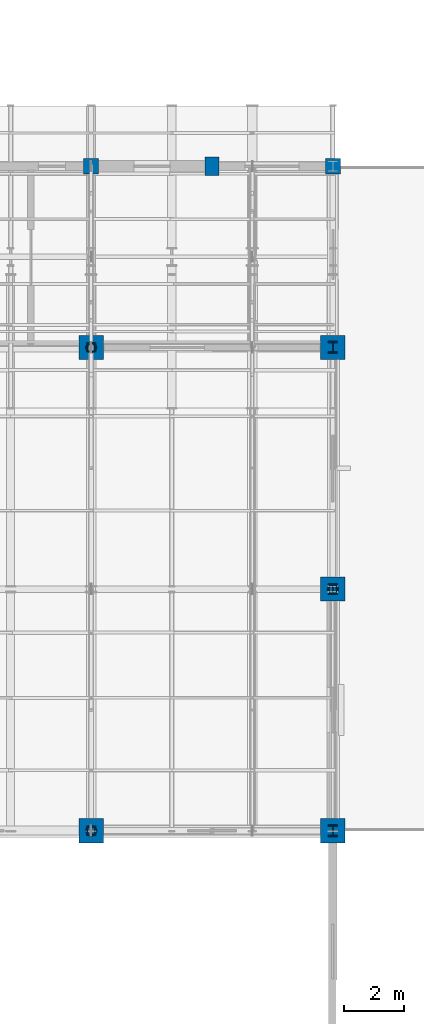
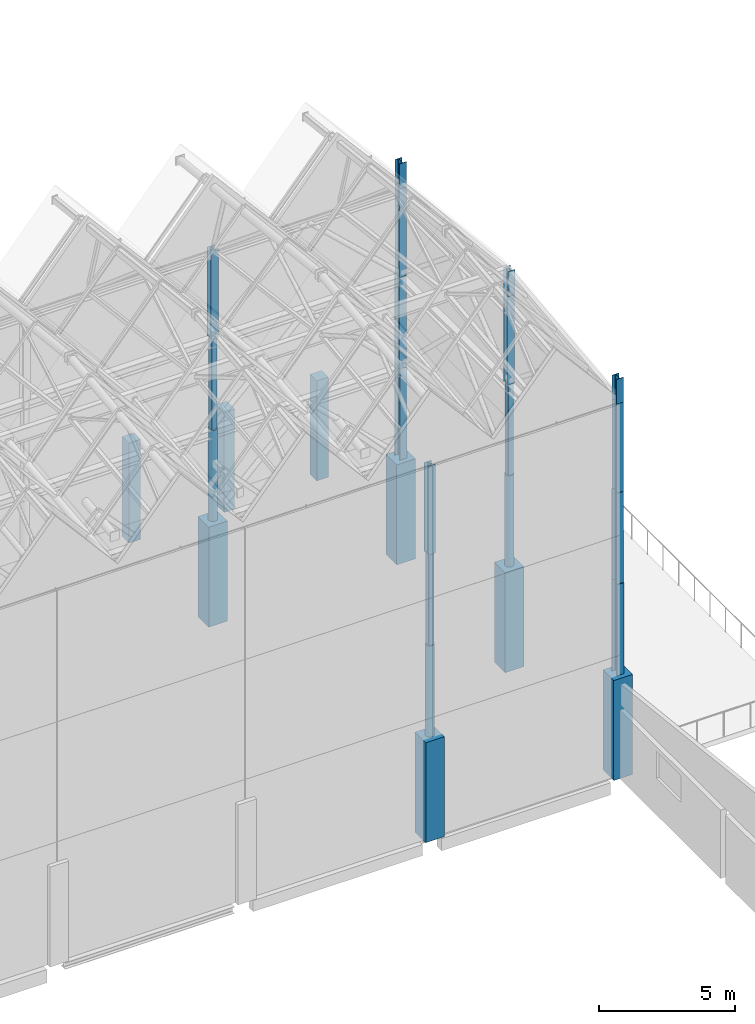
# One storey, part 2 of 48: 26 columns.
"""IFC4 building model written with IfcOpenShell, lengths in metres."""

from ifc_helpers import new_model, si_unit, direction, frame, origin, origin_2d, place, context, subcontext, project, spatial, rectangle, hollow_rectangle, hollow_circle, i_section, extrude, material, material_profile, profile_set, type_object, element, save


model = new_model("IFC4")

# Units and contexts
model_context = context("Model", 3, precision=1e-05, world=origin(), true_north=direction((0.0, 1.0)))
body_context = subcontext(model_context, "Body", "Model", "MODEL_VIEW")
ifc_project = project(units=[si_unit("LENGTHUNIT", "METRE"), si_unit("AREAUNIT", "SQUARE_METRE"), si_unit("VOLUMEUNIT", "CUBIC_METRE"), si_unit("PLANEANGLEUNIT", "RADIAN"), si_unit("MASSUNIT", "GRAM", prefix="KILO")], contexts=[model_context])

# Site, building, storey
site_placement = place(None, origin())
site = spatial("IfcSite", under=ifc_project, at=site_placement, CompositionType="ELEMENT")
building_placement = place(site_placement, origin())
building = spatial("IfcBuilding", under=site, at=building_placement, Name="Luwemba Playhouse", CompositionType="ELEMENT")
storey_placement = place(building_placement, frame((0.0, 0.0, 13.800048828125)))
storey = spatial("IfcBuildingStorey", under=building, at=storey_placement, Name="L03", CompositionType="ELEMENT", Elevation=13.800048828125)

# Columns
ifc_material_1 = material(Name="Concrete C40/50", Category="concrete")
ifc_material_profile_1 = material_profile(ifc_material_1, rectangle(XDim=0.5, YDim=0.5, at=origin_2d()))
ifc_profile_set_1 = profile_set([ifc_material_profile_1], Name="Concrete C40/50")
column_type_1 = type_object("IfcColumnType", Name="COL-C02", PredefinedType="COLUMN", material=ifc_profile_set_1)
for number, where, z_axis, x_axis, name in (
    (1, (36.0, 90.0, 0.0), (0.0, 0.0, 1.0), (1.0, 0.0, 0.0), "L03 column 083"),
    (2, (44.0, 90.0, 0.0), (0.0, 0.0, 1.0), (1.0, 0.0, 0.0), "L03 column 103"),
):
    element("IfcColumn", number, at=place(storey_placement, frame(where, z_axis=z_axis, x_axis=x_axis)), inside=storey, type_object=column_type_1, Name=name, PredefinedType="COLUMN", context=body_context, shape_type="SweptSolid", body=[
        extrude(rectangle(XDim=0.5, YDim=0.5, at=origin_2d()), origin(), (0.0, 0.0, 1.0), 4.5),
    ])
ifc_material_profile_2 = material_profile(ifc_material_1, rectangle(XDim=0.800048828125, YDim=0.800048828125, at=origin_2d()))
ifc_profile_set_2 = profile_set([ifc_material_profile_2], Name="Concrete C40/50")
column_type_2 = type_object("IfcColumnType", Name="COL-C08", PredefinedType="COLUMN", material=ifc_profile_set_2)
for number, where, z_axis, x_axis, name in (
    (3, (36.0, 68.0, 0.0), (0.0, 0.0, 1.0), (1.0, 0.0, 0.0), "L03 column 081"),
    (4, (36.0, 84.0, 0.0), (0.0, 0.0, 1.0), (1.0, 0.0, 0.0), "L03 column 082"),
    (5, (44.0, 68.0, 0.0), (0.0, 0.0, 1.0), (1.0, 0.0, 0.0), "L03 column 100"),
    (6, (44.0, 76.0, 0.0), (0.0, 0.0, 1.0), (1.0, 0.0, 0.0), "L03 column 101"),
    (7, (44.0, 84.0, 0.0), (0.0, 0.0, 1.0), (1.0, 0.0, 0.0), "L03 column 102"),
):
    element("IfcColumn", number, at=place(storey_placement, frame(where, z_axis=z_axis, x_axis=x_axis)), inside=storey, type_object=column_type_2, Name=name, PredefinedType="COLUMN", context=body_context, shape_type="SweptSolid", body=[
        extrude(rectangle(XDim=0.800048828125, YDim=0.800048828125, at=origin_2d()), origin(), (0.0, 0.0, 1.0), 4.5),
    ])
ifc_material_profile_3 = material_profile(ifc_material_1, rectangle(XDim=0.449951171875, YDim=0.60009765625, at=origin_2d()))
ifc_profile_set_3 = profile_set([ifc_material_profile_3], Name="Concrete C40/50")
column_type_3 = type_object("IfcColumnType", Name="COL-PIL2", PredefinedType="PILASTER", material=ifc_profile_set_3)
column_placement = place(storey_placement, frame((40.0, 90.0, 0.0), z_axis=(0.0, 0.0, 1.0), x_axis=(1.0, 0.0, 0.0)))
element("IfcColumn", 8, at=column_placement, inside=storey, type_object=column_type_3, Name="L03 column 090", PredefinedType="PILASTER", context=body_context, shape_type="SweptSolid", body=[
    extrude(rectangle(XDim=0.449951171875, YDim=0.60009765625, at=origin_2d()), origin(), (0.0, 0.0, 1.0), 4.5),
])
ifc_material_2 = material(Name="Steel S355", Category="steel")
ifc_material_profile_4 = material_profile(ifc_material_2, i_section(OverallWidth=0.300048828125, OverallDepth=0.300048828125, WebThickness=0.010986328125, FlangeThickness=0.01904296875, FilletRadius=0.027099609375, at=origin_2d()))
ifc_profile_set_4 = profile_set([ifc_material_profile_4], Name="Steel S355")
column_type_4 = type_object("IfcColumnType", Name="COL-SC1", PredefinedType="COLUMN", material=ifc_profile_set_4)
for number, where, z_axis, x_axis, name in (
    (9, (36.0, 68.0, 12.699951171875), (0.0, 0.0, 1.0), (1.0, 0.0, 0.0), "Fly tower steel column 024"),
    (10, (36.0, 84.0, 12.699951171875), (0.0, 0.0, 1.0), (1.0, 0.0, 0.0), "Fly tower steel column 027"),
    (11, (44.0, 76.0, 12.699951171875), (0.0, 0.0, 1.0), (1.0, 0.0, 0.0), "Fly tower steel column 033"),
):
    element("IfcColumn", number, at=place(storey_placement, frame(where, z_axis=z_axis, x_axis=x_axis)), inside=storey, type_object=column_type_4, Name=name, PredefinedType="COLUMN", context=body_context, shape_type="SweptSolid", body=[
        extrude(i_section(OverallWidth=0.300048828125, OverallDepth=0.300048828125, WebThickness=0.010986328125, FlangeThickness=0.01904296875, FilletRadius=0.027099609375, at=origin_2d()), origin(), (0.0, 0.0, 1.0), 4.0),
    ])
ifc_material_profile_5 = material_profile(ifc_material_2, i_section(OverallWidth=0.300048828125, OverallDepth=0.340087890625, WebThickness=0.011962890625, FlangeThickness=0.021484375, FilletRadius=0.027099609375, at=origin_2d()))
ifc_profile_set_5 = profile_set([ifc_material_profile_5], Name="Steel S355")
column_type_5 = type_object("IfcColumnType", Name="COL-SC2", PredefinedType="COLUMN", material=ifc_profile_set_5)
for number, where, z_axis, x_axis, name in (
    (12, (44.0, 68.0, 12.699951171875), (0.0, 0.0, 1.0), (1.0, 0.0, 0.0), "Fly tower steel column 030"),
    (13, (44.0, 84.0, 12.699951171875), (0.0, 0.0, 1.0), (1.0, 0.0, 0.0), "Fly tower steel column 036"),
):
    element("IfcColumn", number, at=place(storey_placement, frame(where, z_axis=z_axis, x_axis=x_axis)), inside=storey, type_object=column_type_5, Name=name, PredefinedType="COLUMN", context=body_context, shape_type="SweptSolid", body=[
        extrude(i_section(OverallWidth=0.300048828125, OverallDepth=0.340087890625, WebThickness=0.011962890625, FlangeThickness=0.021484375, FilletRadius=0.027099609375, at=origin_2d()), origin(), (0.0, 0.0, 1.0), 4.0),
    ])
for number, where, z_axis, x_axis, name in (
    (14, (44.0, 68.0, 16.699951171875), (0.0, 0.0, 1.0), (1.0, 0.0, 0.0), "RF-V2-FLY south corner apex stub"),
    (15, (44.0, 84.0, 16.699951171875), (0.0, 0.0, 1.0), (1.0, 0.0, 0.0), "RF-V2-FLY north corner apex stub"),
    (16, (44.0, 76.0, 16.699951171875), (0.0, 0.0, 1.0), (1.0, 0.0, 0.0), "RF-V2-FLY mid corner apex stub"),
):
    element("IfcColumn", number, at=place(storey_placement, frame(where, z_axis=z_axis, x_axis=x_axis)), inside=storey, type_object=column_type_5, Name=name, PredefinedType="COLUMN", context=body_context, shape_type="SweptSolid", body=[
        extrude(i_section(OverallWidth=0.300048828125, OverallDepth=0.340087890625, WebThickness=0.011962890625, FlangeThickness=0.021484375, FilletRadius=0.027099609375, at=origin_2d()), origin(), (0.0, 0.0, 1.0), 1.1171875),
    ])
ifc_material_profile_6 = material_profile(ifc_material_2, i_section(OverallWidth=0.300048828125, OverallDepth=0.360107421875, WebThickness=0.012451171875, FlangeThickness=0.0224609375, FilletRadius=0.027099609375, at=origin_2d()))
ifc_profile_set_6 = profile_set([ifc_material_profile_6], Name="Steel S355")
column_type_6 = type_object("IfcColumnType", Name="COL-SC3", PredefinedType="COLUMN", material=ifc_profile_set_6)
for number, where, z_axis, x_axis, name in (
    (17, (44.0, 68.0, 8.599853515625), (0.0, 0.0, 1.0), (1.0, 0.0, 0.0), "Fly tower steel column 029"),
    (18, (44.0, 84.0, 8.599853515625), (0.0, 0.0, 1.0), (1.0, 0.0, 0.0), "Fly tower steel column 035"),
):
    element("IfcColumn", number, at=place(storey_placement, frame(where, z_axis=z_axis, x_axis=x_axis)), inside=storey, type_object=column_type_6, Name=name, PredefinedType="COLUMN", context=body_context, shape_type="SweptSolid", body=[
        extrude(i_section(OverallWidth=0.300048828125, OverallDepth=0.360107421875, WebThickness=0.012451171875, FlangeThickness=0.0224609375, FilletRadius=0.027099609375, at=origin_2d()), origin(), (0.0, 0.0, 1.0), 4.10009765625),
    ])
ifc_material_profile_7 = material_profile(ifc_material_2, i_section(OverallWidth=0.300048828125, OverallDepth=0.39990234375, WebThickness=0.013427734375, FlangeThickness=0.02392578125, FilletRadius=0.027099609375, at=origin_2d()))
ifc_profile_set_7 = profile_set([ifc_material_profile_7], Name="Steel S355")
column_type_7 = type_object("IfcColumnType", Name="COL-SC4", PredefinedType="COLUMN", material=ifc_profile_set_7)
for number, where, z_axis, x_axis, name in (
    (19, (44.0, 68.0, 4.5), (0.0, 0.0, 1.0), (1.0, 0.0, 0.0), "Fly tower steel column 028"),
    (20, (44.0, 84.0, 4.5), (0.0, 0.0, 1.0), (1.0, 0.0, 0.0), "Fly tower steel column 034"),
):
    element("IfcColumn", number, at=place(storey_placement, frame(where, z_axis=z_axis, x_axis=x_axis)), inside=storey, type_object=column_type_7, Name=name, PredefinedType="COLUMN", context=body_context, shape_type="SweptSolid", body=[
        extrude(i_section(OverallWidth=0.300048828125, OverallDepth=0.39990234375, WebThickness=0.013427734375, FlangeThickness=0.02392578125, FilletRadius=0.027099609375, at=origin_2d()), origin(), (0.0, 0.0, 1.0), 4.099853515625),
    ])
ifc_material_profile_8 = material_profile(ifc_material_2, hollow_circle(Radius=0.177734375, WallThickness=0.01611328125, at=origin_2d()))
ifc_profile_set_8 = profile_set([ifc_material_profile_8], Name="Steel S355")
column_type_8 = type_object("IfcColumnType", Name="COL-SC5", PredefinedType="COLUMN", material=ifc_profile_set_8)
for number, where, z_axis, x_axis, name in (
    (21, (36.0, 68.0, 4.5), (0.0, 0.0, 1.0), (1.0, 0.0, 0.0), "Fly tower steel column 022"),
    (22, (36.0, 84.0, 4.5), (0.0, 0.0, 1.0), (1.0, 0.0, 0.0), "Fly tower steel column 025"),
    (23, (44.0, 76.0, 4.5), (0.0, 0.0, 1.0), (1.0, 0.0, 0.0), "Fly tower steel column 031"),
):
    element("IfcColumn", number, at=place(storey_placement, frame(where, z_axis=z_axis, x_axis=x_axis)), inside=storey, type_object=column_type_8, Name=name, PredefinedType="COLUMN", context=body_context, shape_type="SweptSolid", body=[
        extrude(hollow_circle(Radius=0.177734375, WallThickness=0.01611328125, at=origin_2d()), origin(), (0.0, 0.0, 1.0), 4.099853515625),
    ])
ifc_material_profile_9 = material_profile(ifc_material_2, hollow_rectangle(XDim=0.25, YDim=0.25, WallThickness=0.012451171875, InnerFilletRadius=0.018798828125, OuterFilletRadius=0.03125, at=origin_2d()))
ifc_profile_set_9 = profile_set([ifc_material_profile_9], Name="Steel S355")
column_type_9 = type_object("IfcColumnType", Name="COL-SC6", PredefinedType="COLUMN", material=ifc_profile_set_9)
for number, where, z_axis, x_axis, name in (
    (24, (36.0, 68.0, 8.599853515625), (0.0, 0.0, 1.0), (1.0, 0.0, 0.0), "Fly tower steel column 023"),
    (25, (36.0, 84.0, 8.599853515625), (0.0, 0.0, 1.0), (1.0, 0.0, 0.0), "Fly tower steel column 026"),
    (26, (44.0, 76.0, 8.599853515625), (0.0, 0.0, 1.0), (1.0, 0.0, 0.0), "Fly tower steel column 032"),
):
    element("IfcColumn", number, at=place(storey_placement, frame(where, z_axis=z_axis, x_axis=x_axis)), inside=storey, type_object=column_type_9, Name=name, PredefinedType="COLUMN", context=body_context, shape_type="SweptSolid", body=[
        extrude(hollow_rectangle(XDim=0.25, YDim=0.25, WallThickness=0.012451171875, InnerFilletRadius=0.018798828125, OuterFilletRadius=0.03125, at=origin_2d()), origin(), (0.0, 0.0, 1.0), 4.10009765625),
    ])

save(model, "model.ifc")
